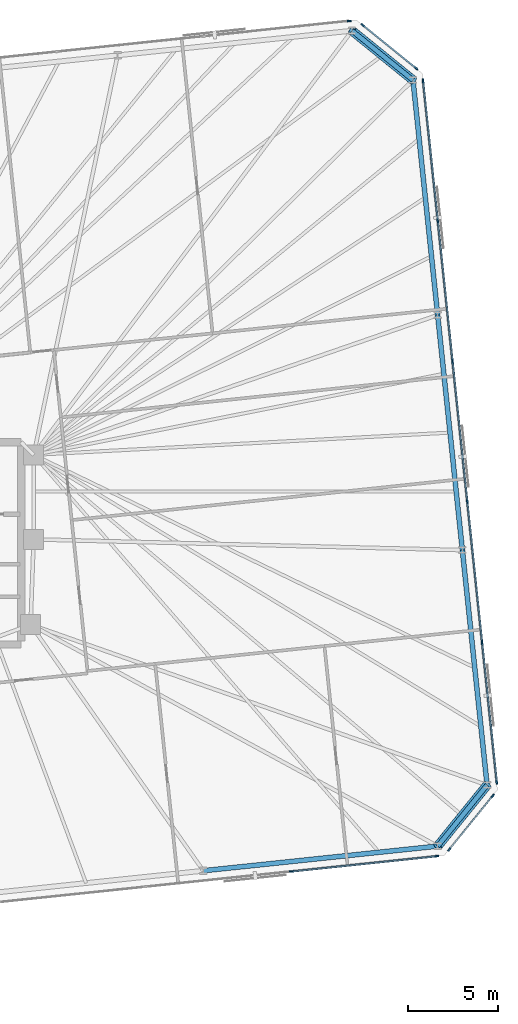
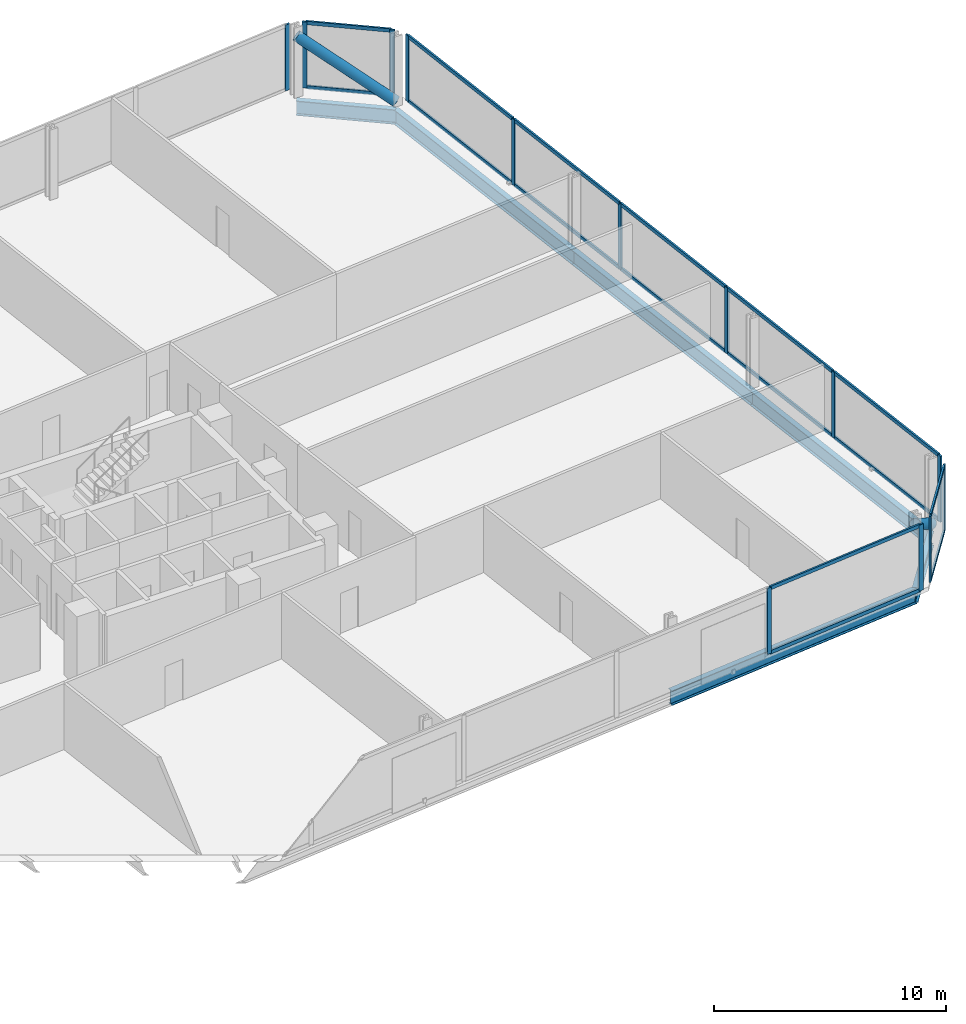
# One storey, part 12 of 18: 31 members, 6 beams, 5 elements without a shape of their own.
"""IFC4 building model written with IfcOpenShell, lengths in metres."""

from ifc_helpers import new_model, si_unit, direction, frame, origin, origin_2d, place, context, subcontext, project, spatial, rectangle, hollow_circle, i_section, extrude, material, material_profile, profile_set, type_object, element, aggregate, save


model = new_model("IFC4")

# Units and contexts
model_context = context("Model", 3, precision=1e-05, world=origin(), true_north=direction((0.0, 1.0)))
body_context = subcontext(model_context, "Body", "Model", "MODEL_VIEW")
ifc_project = project(units=[si_unit("LENGTHUNIT", "METRE"), si_unit("AREAUNIT", "SQUARE_METRE"), si_unit("VOLUMEUNIT", "CUBIC_METRE"), si_unit("PLANEANGLEUNIT", "RADIAN"), si_unit("MASSUNIT", "GRAM", prefix="KILO")], contexts=[model_context])

# Site, building, storey
site_placement = place(None, origin())
site = spatial("IfcSite", under=ifc_project, at=site_placement, CompositionType="ELEMENT")
building_placement = place(site_placement, origin())
building = spatial("IfcBuilding", under=site, at=building_placement, Name="Menara Jurai Vektor", CompositionType="ELEMENT")
storey_placement = place(building_placement, frame((0.0, 0.0, 98.5)))
storey = spatial("IfcBuildingStorey", under=building, at=storey_placement, Name="L24", CompositionType="ELEMENT", Elevation=98.5)

# Curtain wall, members
ifc_material_1 = material(Name="Anodised Pale Aluminium & Low-E Double Glazing", Category="aluminium")
curtain_wall_type = type_object("IfcCurtainWallType", Name="CW-BLK2", PredefinedType="NOTDEFINED", material=ifc_material_1)
curtain_wall_1_placement = place(storey_placement, origin())
curtain_wall_1 = element("IfcCurtainWall", 1, at=curtain_wall_1_placement, inside=storey, type_object=curtain_wall_type, Name="Unitised Curtain Wall L24 F01", PredefinedType="NOTDEFINED")
ifc_material_2 = material(Name="Anodised Pale Aluminium Mullion", Category="aluminium")
ifc_material_profile_1 = material_profile(ifc_material_2, rectangle(XDim=0.090087890625, YDim=0.219970703125, at=origin_2d()), Name="ALU MUL 90x220")
ifc_profile_set_1 = profile_set([ifc_material_profile_1], Name="Anodised Pale Aluminium Mullion")
member_type_1 = type_object("IfcMemberType", Name="CW-BLK2-MUL", PredefinedType="MULLION", material=ifc_profile_set_1)
member_1_placement = place(storey_placement, frame((29.52392578125, -18.169189453125, 0.0), z_axis=(0.0, 0.0, 1.0), x_axis=(-0.104528634935, 0.994521877325, 0.0)))
member_1 = element("IfcMember", 2, at=member_1_placement, type_object=member_type_1, Name="CW-02 mullion 8", PredefinedType="MULLION", context=body_context, shape_type="SweptSolid", body=[
    extrude(rectangle(XDim=0.090087890625, YDim=0.219970703125, at=origin_2d()), origin(), (0.0, 0.0, 1.0), 3.47509765625),
])
member_2_placement = place(storey_placement, frame((37.5771484375, -17.32275390625, 0.0), z_axis=(0.0, 0.0, 1.0), x_axis=(-0.104528634935, 0.994521877325, 0.0)))
member_2 = element("IfcMember", 3, at=member_2_placement, type_object=member_type_1, Name="CW-02 mullion 9", PredefinedType="MULLION", context=body_context, shape_type="SweptSolid", body=[
    extrude(rectangle(XDim=0.090087890625, YDim=0.219970703125, at=origin_2d()), origin(), (0.0, 0.0, 1.0), 3.47509765625),
])

curtain_wall_2_placement = place(storey_placement, origin())
curtain_wall_2 = element("IfcCurtainWall", 4, at=curtain_wall_2_placement, inside=storey, type_object=curtain_wall_type, Name="Unitised Curtain Wall L24 F02", PredefinedType="NOTDEFINED")
member_3_placement = place(storey_placement, frame((38.267333984375, -16.9482421875, 0.0), z_axis=(0.0, 0.0, 1.0), x_axis=(-0.777129222223, 0.62934106172, 0.0)))
member_3 = element("IfcMember", 5, at=member_3_placement, type_object=member_type_1, Name="CW-02 mullion 1", PredefinedType="MULLION", context=body_context, shape_type="SweptSolid", body=[
    extrude(rectangle(XDim=0.090087890625, YDim=0.219970703125, at=origin_2d()), origin(), (0.0, 0.0, 1.0), 3.47509765625),
])
member_4_placement = place(storey_placement, frame((40.66943359375, -13.98193359375, 0.0), z_axis=(0.0, 0.0, 1.0), x_axis=(-0.777129222223, 0.62934106172, 0.0)))
member_4 = element("IfcMember", 6, at=member_4_placement, type_object=member_type_1, Name="CW-02 mullion 2", PredefinedType="MULLION", context=body_context, shape_type="SweptSolid", body=[
    extrude(rectangle(XDim=0.090087890625, YDim=0.219970703125, at=origin_2d()), origin(), (0.0, 0.0, 1.0), 3.47509765625),
])

curtain_wall_3_placement = place(storey_placement, origin())
curtain_wall_3 = element("IfcCurtainWall", 7, at=curtain_wall_3_placement, inside=storey, type_object=curtain_wall_type, Name="Unitised Curtain Wall L24 F03", PredefinedType="NOTDEFINED")
member_5_placement = place(storey_placement, frame((40.892333984375, -13.22900390625, 0.0), z_axis=(0.0, 0.0, 1.0), x_axis=(-0.99452177832, -0.104529576902, 0.0)))
member_5 = element("IfcMember", 8, at=member_5_placement, type_object=member_type_1, Name="CW-02 mullion 1", PredefinedType="MULLION", context=body_context, shape_type="SweptSolid", body=[
    extrude(rectangle(XDim=0.090087890625, YDim=0.219970703125, at=origin_2d()), origin(), (0.0, 0.0, 1.0), 3.47509765625),
])
member_6_placement = place(storey_placement, frame((40.078857421875, -5.488525390625, 0.0), z_axis=(0.0, 0.0, 1.0), x_axis=(-0.99452177832, -0.104529576902, 0.0)))
member_6 = element("IfcMember", 9, at=member_6_placement, type_object=member_type_1, Name="CW-02 mullion 2", PredefinedType="MULLION", context=body_context, shape_type="SweptSolid", body=[
    extrude(rectangle(XDim=0.090087890625, YDim=0.219970703125, at=origin_2d()), origin(), (0.0, 0.0, 1.0), 3.47509765625),
])
member_7_placement = place(storey_placement, frame((39.260498046875, 2.296630859375, 0.0), z_axis=(0.0, 0.0, 1.0), x_axis=(-0.99452177832, -0.104529576902, 0.0)))
member_7 = element("IfcMember", 10, at=member_7_placement, type_object=member_type_1, Name="CW-02 mullion 3", PredefinedType="MULLION", context=body_context, shape_type="SweptSolid", body=[
    extrude(rectangle(XDim=0.090087890625, YDim=0.219970703125, at=origin_2d()), origin(), (0.0, 0.0, 1.0), 3.47509765625),
])
member_8_placement = place(storey_placement, frame((38.4423828125, 10.081787109375, 0.0), z_axis=(0.0, 0.0, 1.0), x_axis=(-0.99452177832, -0.104529576902, 0.0)))
member_8 = element("IfcMember", 11, at=member_8_placement, type_object=member_type_1, Name="CW-02 mullion 4", PredefinedType="MULLION", context=body_context, shape_type="SweptSolid", body=[
    extrude(rectangle(XDim=0.090087890625, YDim=0.219970703125, at=origin_2d()), origin(), (0.0, 0.0, 1.0), 3.47509765625),
])
member_9_placement = place(storey_placement, frame((37.6240234375, 17.866943359375, 0.0), z_axis=(0.0, 0.0, 1.0), x_axis=(-0.99452177832, -0.104529576902, 0.0)))
member_9 = element("IfcMember", 12, at=member_9_placement, type_object=member_type_1, Name="CW-02 mullion 5", PredefinedType="MULLION", context=body_context, shape_type="SweptSolid", body=[
    extrude(rectangle(XDim=0.090087890625, YDim=0.219970703125, at=origin_2d()), origin(), (0.0, 0.0, 1.0), 3.47509765625),
])
member_10_placement = place(storey_placement, frame((36.810546875, 25.607177734375, 0.0), z_axis=(0.0, 0.0, 1.0), x_axis=(-0.99452177832, -0.104529576902, 0.0)))
member_10 = element("IfcMember", 13, at=member_10_placement, type_object=member_type_1, Name="CW-02 mullion 6", PredefinedType="MULLION", context=body_context, shape_type="SweptSolid", body=[
    extrude(rectangle(XDim=0.090087890625, YDim=0.219970703125, at=origin_2d()), origin(), (0.0, 0.0, 1.0), 3.47509765625),
])

curtain_wall_4_placement = place(storey_placement, origin())
curtain_wall_4 = element("IfcCurtainWall", 14, at=curtain_wall_4_placement, inside=storey, type_object=curtain_wall_type, Name="Unitised Curtain Wall L24 F04", PredefinedType="NOTDEFINED")
member_11_placement = place(storey_placement, frame((36.435791015625, 26.29736328125, 0.0), z_axis=(0.0, 0.0, 1.0), x_axis=(-0.629313085353, -0.777151877437, 0.0)))
member_11 = element("IfcMember", 15, at=member_11_placement, type_object=member_type_1, Name="CW-02 mullion 1", PredefinedType="MULLION", context=body_context, shape_type="SweptSolid", body=[
    extrude(rectangle(XDim=0.090087890625, YDim=0.219970703125, at=origin_2d()), origin(), (0.0, 0.0, 1.0), 3.47509765625),
])
member_12_placement = place(storey_placement, frame((33.469482421875, 28.699462890625, 0.0), z_axis=(0.0, 0.0, 1.0), x_axis=(-0.629313085353, -0.777151877437, 0.0)))
member_12 = element("IfcMember", 16, at=member_12_placement, type_object=member_type_1, Name="CW-02 mullion 2", PredefinedType="MULLION", context=body_context, shape_type="SweptSolid", body=[
    extrude(rectangle(XDim=0.090087890625, YDim=0.219970703125, at=origin_2d()), origin(), (0.0, 0.0, 1.0), 3.47509765625),
])

# Curtain wall, member
curtain_wall_5_placement = place(storey_placement, origin())
curtain_wall_5 = element("IfcCurtainWall", 17, at=curtain_wall_5_placement, inside=storey, type_object=curtain_wall_type, Name="Unitised Curtain Wall L24 F05", PredefinedType="NOTDEFINED")
member_13_placement = place(storey_placement, frame((32.716552734375, 28.92236328125, 0.0), z_axis=(0.0, 0.0, 1.0), x_axis=(0.104528634935, -0.994521877325, 0.0)))
member_13 = element("IfcMember", 18, at=member_13_placement, type_object=member_type_1, Name="CW-02 mullion 1", PredefinedType="MULLION", context=body_context, shape_type="SweptSolid", body=[
    extrude(rectangle(XDim=0.090087890625, YDim=0.219970703125, at=origin_2d()), origin(), (0.0, 0.0, 1.0), 3.47509765625),
])
aggregate(curtain_wall_5, [member_13])

# Member
ifc_material_3 = material(Name="Anodised Pale Aluminium Transom", Category="aluminium")
ifc_material_profile_2 = material_profile(ifc_material_3, rectangle(XDim=0.090087890625, YDim=0.18505859375, at=origin_2d()), Name="ALU TRN 90x185")
ifc_profile_set_2 = profile_set([ifc_material_profile_2], Name="Anodised Pale Aluminium Transom")
member_type_2 = type_object("IfcMemberType", Name="CW-BLK2-TRN", PredefinedType="USERDEFINED", material=ifc_profile_set_2)
member_14_placement = place(storey_placement, frame((29.56884765625, -18.16455078125, 0.044921875), z_axis=(0.994519977808, 0.104546706027, 0.0), x_axis=(-0.104546706027, 0.994519977808, 0.0)))
member_14 = element("IfcMember", 19, at=member_14_placement, type_object=member_type_2, Name="CW-02 transom 8.1", ObjectType="TRANSOM", PredefinedType="USERDEFINED", context=body_context, shape_type="SweptSolid", body=[
    extrude(rectangle(XDim=0.090087890625, YDim=0.18505859375, at=origin_2d()), origin(), (0.0, 0.0, 1.0), 8.007568359375),
])

member_15_placement = place(storey_placement, frame((29.56884765625, -18.16455078125, 3.429931640625), z_axis=(0.994519977808, 0.104546706027, 0.0), x_axis=(-0.104546706027, 0.994519977808, 0.0)))
member_15 = element("IfcMember", 20, at=member_15_placement, type_object=member_type_2, Name="CW-02 transom 8.2", ObjectType="TRANSOM", PredefinedType="USERDEFINED", context=body_context, shape_type="SweptSolid", body=[
    extrude(rectangle(XDim=0.090087890625, YDim=0.18505859375, at=origin_2d()), origin(), (0.0, 0.0, 1.0), 8.007568359375),
])

aggregate(curtain_wall_1, [member_1, member_2, member_14, member_15])

member_16_placement = place(storey_placement, frame((38.295654296875, -16.9130859375, 0.044921875), z_axis=(0.6293414396, 0.777128916205, 0.0), x_axis=(-0.777128916205, 0.6293414396, 0.0)))
member_16 = element("IfcMember", 21, at=member_16_placement, type_object=member_type_2, Name="CW-02 transom 1.1", ObjectType="TRANSOM", PredefinedType="USERDEFINED", context=body_context, shape_type="SweptSolid", body=[
    extrude(rectangle(XDim=0.090087890625, YDim=0.18505859375, at=origin_2d()), origin(), (0.0, 0.0, 1.0), 3.726806640625),
])

member_17_placement = place(storey_placement, frame((38.295654296875, -16.9130859375, 3.429931640625), z_axis=(0.6293414396, 0.777128916205, 0.0), x_axis=(-0.777128916205, 0.6293414396, 0.0)))
member_17 = element("IfcMember", 22, at=member_17_placement, type_object=member_type_2, Name="CW-02 transom 1.2", ObjectType="TRANSOM", PredefinedType="USERDEFINED", context=body_context, shape_type="SweptSolid", body=[
    extrude(rectangle(XDim=0.090087890625, YDim=0.18505859375, at=origin_2d()), origin(), (0.0, 0.0, 1.0), 3.726806640625),
])

aggregate(curtain_wall_2, [member_3, member_4, member_16, member_17])

member_18_placement = place(storey_placement, frame((40.8876953125, -13.18408203125, 0.044921875), z_axis=(-0.104536105602, 0.994521092097, 0.0), x_axis=(-0.994521092097, -0.104536105602, 0.0)))
member_18 = element("IfcMember", 23, at=member_18_placement, type_object=member_type_2, Name="CW-02 transom 1.1", ObjectType="TRANSOM", PredefinedType="USERDEFINED", context=body_context, shape_type="SweptSolid", body=[
    extrude(rectangle(XDim=0.090087890625, YDim=0.18505859375, at=origin_2d()), origin(), (0.0, 0.0, 1.0), 7.693115234375),
])

member_19_placement = place(storey_placement, frame((40.8876953125, -13.18408203125, 3.429931640625), z_axis=(-0.104536105602, 0.994521092097, 0.0), x_axis=(-0.994521092097, -0.104536105602, 0.0)))
member_19 = element("IfcMember", 24, at=member_19_placement, type_object=member_type_2, Name="CW-02 transom 1.2", ObjectType="TRANSOM", PredefinedType="USERDEFINED", context=body_context, shape_type="SweptSolid", body=[
    extrude(rectangle(XDim=0.090087890625, YDim=0.18505859375, at=origin_2d()), origin(), (0.0, 0.0, 1.0), 7.693115234375),
])

member_20_placement = place(storey_placement, frame((40.07421875, -5.44384765625, 0.044921875), z_axis=(-0.104528756613, 0.994521864536, 0.0), x_axis=(-0.994521864536, -0.104528756613, 0.0)))
member_20 = element("IfcMember", 25, at=member_20_placement, type_object=member_type_2, Name="CW-02 transom 2.1", ObjectType="TRANSOM", PredefinedType="USERDEFINED", context=body_context, shape_type="SweptSolid", body=[
    extrude(rectangle(XDim=0.090087890625, YDim=0.18505859375, at=origin_2d()), origin(), (0.0, 0.0, 1.0), 7.738037109375),
])

member_21_placement = place(storey_placement, frame((40.07421875, -5.44384765625, 3.429931640625), z_axis=(-0.104528756613, 0.994521864536, 0.0), x_axis=(-0.994521864536, -0.104528756613, 0.0)))
member_21 = element("IfcMember", 26, at=member_21_placement, type_object=member_type_2, Name="CW-02 transom 2.2", ObjectType="TRANSOM", PredefinedType="USERDEFINED", context=body_context, shape_type="SweptSolid", body=[
    extrude(rectangle(XDim=0.090087890625, YDim=0.18505859375, at=origin_2d()), origin(), (0.0, 0.0, 1.0), 7.738037109375),
])

member_22_placement = place(storey_placement, frame((39.255859375, 2.34130859375, 0.044921875), z_axis=(-0.104528756613, 0.994521864536, 0.0), x_axis=(-0.994521864536, -0.104528756613, 0.0)))
member_22 = element("IfcMember", 27, at=member_22_placement, type_object=member_type_2, Name="CW-02 transom 3.1", ObjectType="TRANSOM", PredefinedType="USERDEFINED", context=body_context, shape_type="SweptSolid", body=[
    extrude(rectangle(XDim=0.090087890625, YDim=0.18505859375, at=origin_2d()), origin(), (0.0, 0.0, 1.0), 7.738037109375),
])

member_23_placement = place(storey_placement, frame((39.255859375, 2.34130859375, 3.429931640625), z_axis=(-0.104528756613, 0.994521864536, 0.0), x_axis=(-0.994521864536, -0.104528756613, 0.0)))
member_23 = element("IfcMember", 28, at=member_23_placement, type_object=member_type_2, Name="CW-02 transom 3.2", ObjectType="TRANSOM", PredefinedType="USERDEFINED", context=body_context, shape_type="SweptSolid", body=[
    extrude(rectangle(XDim=0.090087890625, YDim=0.18505859375, at=origin_2d()), origin(), (0.0, 0.0, 1.0), 7.738037109375),
])

member_24_placement = place(storey_placement, frame((38.4375, 10.12646484375, 0.044921875), z_axis=(-0.104528756613, 0.994521864536, 0.0), x_axis=(-0.994521864536, -0.104528756613, 0.0)))
member_24 = element("IfcMember", 29, at=member_24_placement, type_object=member_type_2, Name="CW-02 transom 4.1", ObjectType="TRANSOM", PredefinedType="USERDEFINED", context=body_context, shape_type="SweptSolid", body=[
    extrude(rectangle(XDim=0.090087890625, YDim=0.18505859375, at=origin_2d()), origin(), (0.0, 0.0, 1.0), 7.738037109375),
])

member_25_placement = place(storey_placement, frame((38.4375, 10.12646484375, 3.429931640625), z_axis=(-0.104528756613, 0.994521864536, 0.0), x_axis=(-0.994521864536, -0.104528756613, 0.0)))
member_25 = element("IfcMember", 30, at=member_25_placement, type_object=member_type_2, Name="CW-02 transom 4.2", ObjectType="TRANSOM", PredefinedType="USERDEFINED", context=body_context, shape_type="SweptSolid", body=[
    extrude(rectangle(XDim=0.090087890625, YDim=0.18505859375, at=origin_2d()), origin(), (0.0, 0.0, 1.0), 7.738037109375),
])

member_26_placement = place(storey_placement, frame((37.619384765625, 17.91162109375, 0.044921875), z_axis=(-0.104536105602, 0.994521092097, 0.0), x_axis=(-0.994521092097, -0.104536105602, 0.0)))
member_26 = element("IfcMember", 31, at=member_26_placement, type_object=member_type_2, Name="CW-02 transom 5.1", ObjectType="TRANSOM", PredefinedType="USERDEFINED", context=body_context, shape_type="SweptSolid", body=[
    extrude(rectangle(XDim=0.090087890625, YDim=0.18505859375, at=origin_2d()), origin(), (0.0, 0.0, 1.0), 7.693115234375),
])

member_27_placement = place(storey_placement, frame((37.619384765625, 17.91162109375, 3.429931640625), z_axis=(-0.104536105602, 0.994521092097, 0.0), x_axis=(-0.994521092097, -0.104536105602, 0.0)))
member_27 = element("IfcMember", 32, at=member_27_placement, type_object=member_type_2, Name="CW-02 transom 5.2", ObjectType="TRANSOM", PredefinedType="USERDEFINED", context=body_context, shape_type="SweptSolid", body=[
    extrude(rectangle(XDim=0.090087890625, YDim=0.18505859375, at=origin_2d()), origin(), (0.0, 0.0, 1.0), 7.693115234375),
])

aggregate(curtain_wall_3, [member_5, member_6, member_7, member_8, member_9, member_10, member_18, member_19, member_20, member_21, member_22, member_23, member_24, member_25, member_26, member_27])

member_28_placement = place(storey_placement, frame((36.40087890625, 26.32568359375, 0.044921875), z_axis=(-0.77715486027, 0.629309401772, 0.0), x_axis=(-0.629309401772, -0.77715486027, 0.0)))
member_28 = element("IfcMember", 33, at=member_28_placement, type_object=member_type_2, Name="CW-02 transom 1.1", ObjectType="TRANSOM", PredefinedType="USERDEFINED", context=body_context, shape_type="SweptSolid", body=[
    extrude(rectangle(XDim=0.090087890625, YDim=0.18505859375, at=origin_2d()), origin(), (0.0, 0.0, 1.0), 3.72705078125),
])

member_29_placement = place(storey_placement, frame((36.40087890625, 26.32568359375, 3.429931640625), z_axis=(-0.77715486027, 0.629309401772, 0.0), x_axis=(-0.629309401772, -0.77715486027, 0.0)))
member_29 = element("IfcMember", 34, at=member_29_placement, type_object=member_type_2, Name="CW-02 transom 1.2", ObjectType="TRANSOM", PredefinedType="USERDEFINED", context=body_context, shape_type="SweptSolid", body=[
    extrude(rectangle(XDim=0.090087890625, YDim=0.18505859375, at=origin_2d()), origin(), (0.0, 0.0, 1.0), 3.72705078125),
])

aggregate(curtain_wall_4, [member_11, member_12, member_28, member_29])

# Members
ifc_material_4 = material(Name="Steel S460", Category="steel")
ifc_material_profile_3 = material_profile(ifc_material_4, hollow_circle(Radius=0.25390625, WallThickness=0.02001953125, at=origin_2d()), Name="CHS 508x20")
ifc_profile_set_3 = profile_set([ifc_material_profile_3], Name="Steel S460")
member_type_3 = type_object("IfcMemberType", Name="STR-BR-508", PredefinedType="BRACE", material=ifc_profile_set_3)
for number, where, z_axis, x_axis, name in (
    (35, (40.356201171875, -13.388671875, 0.14990234375), (-0.519271719394, -0.641207846359, 0.564986176119), (0.777127086072, -0.629343699494, 0.0), "Exoskeleton Corner Brace L24-1"),
    (36, (36.252685546875, 25.65185546875, 0.14990234375), (-0.641207846359, 0.519271719394, 0.564986176119), (-0.629343699494, -0.777127086072, 0.0), "Exoskeleton Corner Brace L24-2"),
):
    element("IfcMember", number, at=place(storey_placement, frame(where, z_axis=z_axis, x_axis=x_axis)), inside=storey, type_object=member_type_3, Name=name, PredefinedType="BRACE", context=body_context, shape_type="SweptSolid", body=[
        extrude(hollow_circle(Radius=0.25390625, WallThickness=0.02001953125, at=origin_2d()), origin(), (0.0, 0.0, 1.0), 5.265869140625),
    ])

# Beams
ifc_material_profile_4 = material_profile(ifc_material_4, i_section(OverallWidth=0.26806640625, OverallDepth=0.77001953125, WebThickness=0.01611328125, FlangeThickness=0.02490234375, FilletRadius=0.01708984375, at=origin_2d()), Name="UKB 762x267x197")
ifc_profile_set_4 = profile_set([ifc_material_profile_4], Name="Steel S460")
beam_type = type_object("IfcBeamType", Name="STR-SP-762", PredefinedType="SPANDREL", material=ifc_profile_set_4)
beam_1_placement = place(storey_placement, frame((24.64208984375, -18.12939453125, -0.610107421875), z_axis=(0.994521636083, 0.104530930169, 0.0), x_axis=(-0.104530930169, 0.994521636083, 0.0)))
element("IfcBeam", 37, at=beam_1_placement, inside=storey, type_object=beam_type, Name="Exoskeleton Spandrel Beam L24-05", PredefinedType="SPANDREL", context=body_context, shape_type="SweptSolid", body=[
    extrude(i_section(OverallWidth=0.26806640625, OverallDepth=0.77001953125, WebThickness=0.01611328125, FlangeThickness=0.02490234375, FilletRadius=0.01708984375, at=origin_2d()), origin(), (0.0, 0.0, 1.0), 13.05126953125),
])
beam_2_placement = place(storey_placement, frame((37.621826171875, -16.76513671875, -0.610107421875), z_axis=(0.629343699494, 0.777127086072, 0.0), x_axis=(-0.777127086072, 0.629343699494, 0.0)))
element("IfcBeam", 38, at=beam_2_placement, inside=storey, type_object=beam_type, Name="Exoskeleton Spandrel Beam L24-06", PredefinedType="SPANDREL", context=body_context, shape_type="SweptSolid", body=[
    extrude(i_section(OverallWidth=0.26806640625, OverallDepth=0.77001953125, WebThickness=0.01611328125, FlangeThickness=0.02490234375, FilletRadius=0.01708984375, at=origin_2d()), origin(), (0.0, 0.0, 1.0), 4.3447265625),
])
beam_3_placement = place(storey_placement, frame((40.356201171875, -13.388671875, -0.610107421875), z_axis=(-0.104538130097, 0.994520879296, 0.0), x_axis=(-0.994520879296, -0.104538130097, 0.0)))
element("IfcBeam", 39, at=beam_3_placement, inside=storey, type_object=beam_type, Name="Exoskeleton Spandrel Beam L24-07", PredefinedType="SPANDREL", context=body_context, shape_type="SweptSolid", body=[
    extrude(i_section(OverallWidth=0.26806640625, OverallDepth=0.77001953125, WebThickness=0.01611328125, FlangeThickness=0.02490234375, FilletRadius=0.01708984375, at=origin_2d()), origin(), (0.0, 0.0, 1.0), 13.08544921875),
])
beam_4_placement = place(storey_placement, frame((38.98828125, -0.375, -0.610107421875), z_axis=(-0.104521615846, 0.994522615037, 0.0), x_axis=(-0.994522615037, -0.104521615846, 0.0)))
element("IfcBeam", 40, at=beam_4_placement, inside=storey, type_object=beam_type, Name="Exoskeleton Spandrel Beam L24-08", PredefinedType="SPANDREL", context=body_context, shape_type="SweptSolid", body=[
    extrude(i_section(OverallWidth=0.26806640625, OverallDepth=0.77001953125, WebThickness=0.01611328125, FlangeThickness=0.02490234375, FilletRadius=0.01708984375, at=origin_2d()), origin(), (0.0, 0.0, 1.0), 13.085205078125),
])
beam_5_placement = place(storey_placement, frame((37.62060546875, 12.638427734375, -0.610107421875), z_axis=(-0.104538130097, 0.994520879296, 0.0), x_axis=(-0.994520879296, -0.104538130097, 0.0)))
element("IfcBeam", 41, at=beam_5_placement, inside=storey, type_object=beam_type, Name="Exoskeleton Spandrel Beam L24-09", PredefinedType="SPANDREL", context=body_context, shape_type="SweptSolid", body=[
    extrude(i_section(OverallWidth=0.26806640625, OverallDepth=0.77001953125, WebThickness=0.01611328125, FlangeThickness=0.02490234375, FilletRadius=0.01708984375, at=origin_2d()), origin(), (0.0, 0.0, 1.0), 13.08544921875),
])
beam_6_placement = place(storey_placement, frame((36.252685546875, 25.652099609375, -0.610107421875), z_axis=(-0.777154568396, 0.629309762217, 0.0), x_axis=(-0.629309762217, -0.777154568396, 0.0)))
element("IfcBeam", 42, at=beam_6_placement, inside=storey, type_object=beam_type, Name="Exoskeleton Spandrel Beam L24-10", PredefinedType="SPANDREL", context=body_context, shape_type="SweptSolid", body=[
    extrude(i_section(OverallWidth=0.26806640625, OverallDepth=0.77001953125, WebThickness=0.01611328125, FlangeThickness=0.02490234375, FilletRadius=0.01708984375, at=origin_2d()), origin(), (0.0, 0.0, 1.0), 4.3447265625),
])

save(model, "model.ifc")
